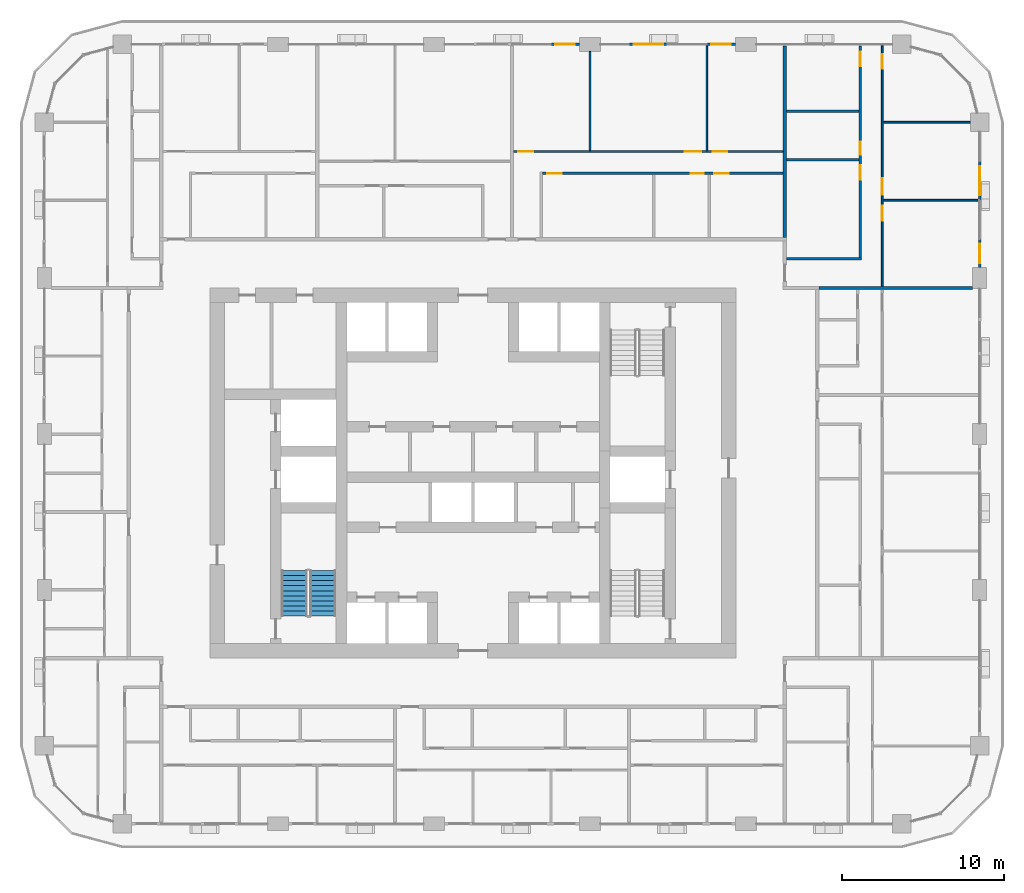
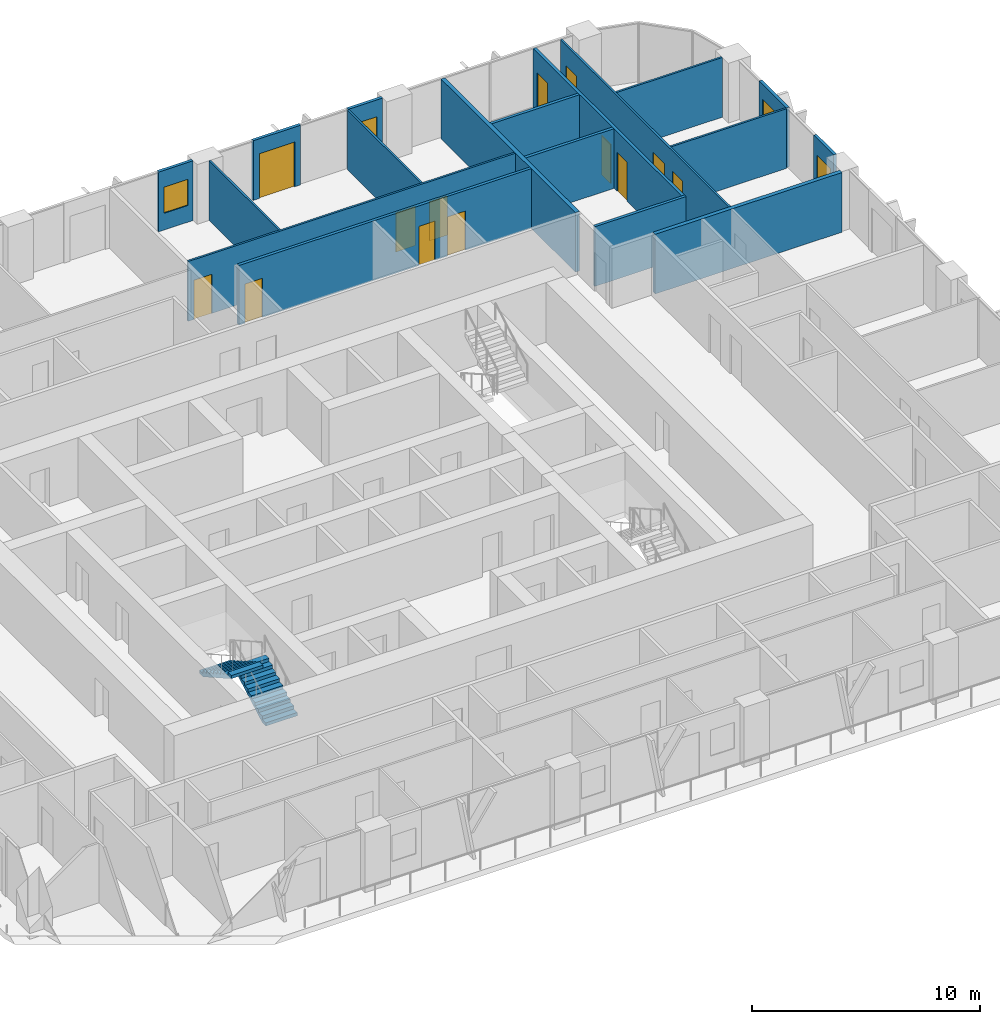
# One storey, part 15 of 22: 18 walls, 14 doors, 3 windows, 2 stair flights, 17 openings, 1 element without a shape of its own.
"""IFC4 building model written with IfcOpenShell, lengths in metres."""

from ifc_helpers import new_model, si_unit, direction, frame, frame_2d, origin, place, context, subcontext, project, spatial, polyline, rectangle, outline, extrude, material, layer, layer_set, type_object, element, fill, aggregate, save


model = new_model("IFC4")

# Units and contexts
model_context = context("Model", 3, precision=1e-05, world=origin(), true_north=direction((0.0, 1.0)))
body_context = subcontext(model_context, "Body", "Model", "MODEL_VIEW")
ifc_project = project(units=[si_unit("LENGTHUNIT", "METRE"), si_unit("AREAUNIT", "SQUARE_METRE"), si_unit("VOLUMEUNIT", "CUBIC_METRE"), si_unit("PLANEANGLEUNIT", "RADIAN"), si_unit("MASSUNIT", "GRAM", prefix="KILO")], contexts=[model_context])

# Site, building, storey
site_placement = place(None, origin())
site = spatial("IfcSite", under=ifc_project, at=site_placement, CompositionType="ELEMENT")
building_placement = place(site_placement, origin())
building = spatial("IfcBuilding", under=site, at=building_placement, Name="Madar Terraces", CompositionType="ELEMENT")
storey_placement = place(building_placement, frame((0.0, 0.0, 103.199951171875)))
storey = spatial("IfcBuildingStorey", under=building, at=storey_placement, Name="L26", CompositionType="ELEMENT", Elevation=103.199951171875)

# Wall, opening, window
ifc_material_1 = material(Name="Aluminium composite panel, black, over insulated backing", Category="aluminium")
ifc_layer_1 = layer(ifc_material_1, 0.14990234375)
ifc_layer_set_1 = layer_set([ifc_layer_1], Name="Facade bay panel 150")
wall_type_1 = type_object("IfcWallType", Name="Facade bay panel 150", PredefinedType="SOLIDWALL", material=ifc_layer_set_1)
wall_1_placement = place(storey_placement, frame((62.39990234375, 39.050048828125, 0.0), z_axis=(0.0, 0.0, 1.0), x_axis=(0.0, 1.0, 0.0)))
wall_1 = element("IfcWall", 1, at=wall_1_placement, inside=storey, type_object=wall_type_1, Name="Facade bay panel", PredefinedType="SOLIDWALL", context=body_context, shape_type="SweptSolid", body=[
    extrude(rectangle(XDim=1.75, YDim=0.14990234375, at=frame_2d((0.875, 0.0))), origin(), (0.0, 0.0, 1.0), 3.199951171875),
])
opening_1_placement = place(wall_1_placement, frame((0.27490234375, 0.0, 0.89990234375)))
opening_1 = element("IfcOpeningElement", 2, at=opening_1_placement, cuts=wall_1, Name="Opening W1", PredefinedType="OPENING", context=body_context, shape_type="SweptSolid", body=[
    extrude(rectangle(XDim=1.199951171875, YDim=1.39990234375, at=frame_2d((0.60009765625, 0.699951171875))), frame((0.0, 0.0849609375, 0.0), z_axis=(0.0, -1.0, 0.0), x_axis=(1.0, 0.0, 0.0)), (0.0, 0.0, 1.0), 0.169921875),
])
ifc_material_2 = material(Name="Glass, clear, with black aluminium frame", Category="aluminium")
window_type = type_object("IfcWindowType", Name="Vent window 1200 x 1400", PartitioningType="SINGLE_PANEL", PredefinedType="WINDOW", material=ifc_material_2)
window_1_placement = place(opening_1_placement, origin())
window_1 = element("IfcWindow", 3, at=window_1_placement, inside=storey, type_object=window_type, Name="Operable vent window", OverallHeight=1.39990234375, OverallWidth=1.199951171875, PartitioningType="SINGLE_PANEL", PredefinedType="WINDOW", context=body_context, shape_type="SweptSolid", body=[
    extrude(rectangle(XDim=1.199951171875, YDim=1.39990234375, at=frame_2d((0.60009765625, 0.699951171875))), frame((0.0, 0.030029296875, 0.0), z_axis=(0.0, -1.0, 0.0), x_axis=(1.0, 0.0, 0.0)), (0.0, 0.0, 1.0), 0.06005859375),
])
fill(opening_1, window_1)

# Wall, opening, door
wall_2_placement = place(storey_placement, frame((62.39990234375, 43.199951171875, 0.0), z_axis=(0.0, 0.0, 1.0), x_axis=(0.0, 1.0, 0.0)))
wall_2 = element("IfcWall", 4, at=wall_2_placement, inside=storey, type_object=wall_type_1, Name="Facade bay panel", PredefinedType="SOLIDWALL", context=body_context, shape_type="SweptSolid", body=[
    extrude(rectangle(XDim=2.400146484375, YDim=0.14990234375, at=frame_2d((1.2001953125, 0.0))), origin(), (0.0, 0.0, 1.0), 3.199951171875),
])
opening_2_placement = place(wall_2_placement, frame((0.300048828125, 0.0, 0.0)))
opening_2 = element("IfcOpeningElement", 5, at=opening_2_placement, cuts=wall_2, Name="Opening ED1", PredefinedType="OPENING", context=body_context, shape_type="SweptSolid", body=[
    extrude(rectangle(XDim=1.800048828125, YDim=2.39990234375, at=frame_2d((0.89990234375, 1.199951171875))), frame((0.0, 0.0849609375, 0.0), z_axis=(0.0, -1.0, 0.0), x_axis=(1.0, 0.0, 0.0)), (0.0, 0.0, 1.0), 0.169921875),
])
ifc_material_3 = material(Name="Glass, clear, with black aluminium frame", Category="aluminium")
door_type_1 = type_object("IfcDoorType", Name="Balcony and terrace sliding door 1800 x 2400", OperationType="SLIDING_TO_LEFT", PredefinedType="DOOR", material=ifc_material_3)
door_1_placement = place(opening_2_placement, origin())
door_1 = element("IfcDoor", 6, at=door_1_placement, inside=storey, type_object=door_type_1, Name="Balcony door", OperationType="SLIDING_TO_LEFT", OverallHeight=2.39990234375, OverallWidth=1.800048828125, PredefinedType="DOOR", context=body_context, shape_type="SweptSolid", body=[
    extrude(rectangle(XDim=1.800048828125, YDim=2.39990234375, at=frame_2d((0.89990234375, 1.199951171875))), frame((0.0, 0.02490234375, 0.0), z_axis=(0.0, -1.0, 0.0), x_axis=(1.0, 0.0, 0.0)), (0.0, 0.0, 1.0), 0.050048828125),
])
fill(opening_2, door_1)

# Wall, opening, window
wall_3_placement = place(storey_placement, frame((47.35009765625, 52.800048828125, 0.0), z_axis=(0.0, 0.0, 1.0), x_axis=(-1.0, 0.0, 0.0)))
wall_3 = element("IfcWall", 7, at=wall_3_placement, inside=storey, type_object=wall_type_1, Name="Facade bay panel", PredefinedType="SOLIDWALL", context=body_context, shape_type="SweptSolid", body=[
    extrude(rectangle(XDim=1.75, YDim=0.14990234375, at=frame_2d((0.875, 0.0))), origin(), (0.0, 0.0, 1.0), 3.199951171875),
])
opening_3_placement = place(wall_3_placement, frame((0.27490234375, 0.0, 0.89990234375)))
opening_3 = element("IfcOpeningElement", 8, at=opening_3_placement, cuts=wall_3, Name="Opening W1", PredefinedType="OPENING", context=body_context, shape_type="SweptSolid", body=[
    extrude(rectangle(XDim=1.199951171875, YDim=1.39990234375, at=frame_2d((0.60009765625, 0.699951171875))), frame((0.0, 0.0849609375, 0.0), z_axis=(0.0, -1.0, 0.0), x_axis=(1.0, 0.0, 0.0)), (0.0, 0.0, 1.0), 0.169921875),
])
window_2_placement = place(opening_3_placement, origin())
window_2 = element("IfcWindow", 9, at=window_2_placement, inside=storey, type_object=window_type, Name="Operable vent window", OverallHeight=1.39990234375, OverallWidth=1.199951171875, PartitioningType="SINGLE_PANEL", PredefinedType="WINDOW", context=body_context, shape_type="SweptSolid", body=[
    extrude(rectangle(XDim=1.199951171875, YDim=1.39990234375, at=frame_2d((0.60009765625, 0.699951171875))), frame((0.0, 0.030029296875, 0.0), z_axis=(0.0, -1.0, 0.0), x_axis=(1.0, 0.0, 0.0)), (0.0, 0.0, 1.0), 0.06005859375),
])
fill(opening_3, window_2)

# Wall, opening, door
wall_4_placement = place(storey_placement, frame((43.199951171875, 52.800048828125, 0.0), z_axis=(0.0, 0.0, 1.0), x_axis=(-1.0, 0.0, 0.0)))
wall_4 = element("IfcWall", 10, at=wall_4_placement, inside=storey, type_object=wall_type_1, Name="Facade bay panel", PredefinedType="SOLIDWALL", context=body_context, shape_type="SweptSolid", body=[
    extrude(rectangle(XDim=2.39990234375, YDim=0.14990234375, at=frame_2d((1.199951171875, 0.0))), origin(), (0.0, 0.0, 1.0), 3.199951171875),
])
opening_4_placement = place(wall_4_placement, frame((0.300048828125, 0.0, 0.0)))
opening_4 = element("IfcOpeningElement", 11, at=opening_4_placement, cuts=wall_4, Name="Opening ED1", PredefinedType="OPENING", context=body_context, shape_type="SweptSolid", body=[
    extrude(rectangle(XDim=1.800048828125, YDim=2.39990234375, at=frame_2d((0.89990234375, 1.199951171875))), frame((0.0, 0.0849609375, 0.0), z_axis=(0.0, -1.0, 0.0), x_axis=(1.0, 0.0, 0.0)), (0.0, 0.0, 1.0), 0.169921875),
])
door_2_placement = place(opening_4_placement, origin())
door_2 = element("IfcDoor", 12, at=door_2_placement, inside=storey, type_object=door_type_1, Name="Balcony door", OperationType="SLIDING_TO_RIGHT", OverallHeight=2.39990234375, OverallWidth=1.800048828125, PredefinedType="DOOR", context=body_context, shape_type="SweptSolid", body=[
    extrude(rectangle(XDim=1.800048828125, YDim=2.39990234375, at=frame_2d((0.89990234375, 1.199951171875))), frame((0.0, 0.02490234375, 0.0), z_axis=(0.0, -1.0, 0.0), x_axis=(1.0, 0.0, 0.0)), (0.0, 0.0, 1.0), 0.050048828125),
])
fill(opening_4, door_2)

# Wall, opening, window
wall_5_placement = place(storey_placement, frame((37.75, 52.800048828125, 0.0), z_axis=(0.0, 0.0, 1.0), x_axis=(-1.0, 0.0, 0.0)))
wall_5 = element("IfcWall", 13, at=wall_5_placement, inside=storey, type_object=wall_type_1, Name="Facade bay panel", PredefinedType="SOLIDWALL", context=body_context, shape_type="SweptSolid", body=[
    extrude(rectangle(XDim=1.75, YDim=0.14990234375, at=frame_2d((0.875, 0.0))), origin(), (0.0, 0.0, 1.0), 3.199951171875),
])
opening_5_placement = place(wall_5_placement, frame((0.27490234375, 0.0, 0.89990234375)))
opening_5 = element("IfcOpeningElement", 14, at=opening_5_placement, cuts=wall_5, Name="Opening W1", PredefinedType="OPENING", context=body_context, shape_type="SweptSolid", body=[
    extrude(rectangle(XDim=1.199951171875, YDim=1.39990234375, at=frame_2d((0.60009765625, 0.699951171875))), frame((0.0, 0.0849609375, 0.0), z_axis=(0.0, -1.0, 0.0), x_axis=(1.0, 0.0, 0.0)), (0.0, 0.0, 1.0), 0.169921875),
])
window_3_placement = place(opening_5_placement, origin())
window_3 = element("IfcWindow", 15, at=window_3_placement, inside=storey, type_object=window_type, Name="Operable vent window", OverallHeight=1.39990234375, OverallWidth=1.199951171875, PartitioningType="SINGLE_PANEL", PredefinedType="WINDOW", context=body_context, shape_type="SweptSolid", body=[
    extrude(rectangle(XDim=1.199951171875, YDim=1.39990234375, at=frame_2d((0.60009765625, 0.699951171875))), frame((0.0, 0.030029296875, 0.0), z_axis=(0.0, -1.0, 0.0), x_axis=(1.0, 0.0, 0.0)), (0.0, 0.0, 1.0), 0.06005859375),
])
fill(opening_5, window_3)

# Walls
ifc_material_4 = material(Name="Gypsum board on steel studs", Category="steel")
ifc_layer_2 = layer(ifc_material_4, 0.10009765625)
ifc_layer_set_2 = layer_set([ifc_layer_2], Name="Flat partition 100")
wall_type_2 = type_object("IfcWallType", Name="Flat partition 100", PredefinedType="PARTITIONING", material=ifc_layer_set_2)
wall_6_placement = place(storey_placement, frame((56.449951171875, 43.199951171875, 0.0), z_axis=(0.0, 0.0, 1.0), x_axis=(1.0, 0.0, 0.0)))
element("IfcWall", 16, at=wall_6_placement, inside=storey, type_object=wall_type_2, Name="Flat partition 100", PredefinedType="PARTITIONING", context=body_context, shape_type="SweptSolid", body=[
    extrude(rectangle(XDim=5.85009765625, YDim=0.10009765625, at=frame_2d((2.925048828125, 0.0))), origin(), (0.0, 0.0, 1.0), 3.199951171875),
])
wall_7_placement = place(storey_placement, frame((56.449951171875, 48.0, 0.0), z_axis=(0.0, 0.0, 1.0), x_axis=(1.0, 0.0, 0.0)))
element("IfcWall", 17, at=wall_7_placement, inside=storey, type_object=wall_type_2, Name="Flat partition 100", PredefinedType="PARTITIONING", context=body_context, shape_type="SweptSolid", body=[
    extrude(rectangle(XDim=5.375, YDim=0.10009765625, at=frame_2d((2.6875, 0.0))), origin(), (0.0, 0.0, 1.0), 3.199951171875),
])

# Wall, openings, doors
wall_8_placement = place(storey_placement, frame((56.39990234375, 52.699951171875, 0.0), z_axis=(0.0, 0.0, 1.0), x_axis=(0.0, -1.0, 0.0)))
wall_8 = element("IfcWall", 18, at=wall_8_placement, inside=storey, type_object=wall_type_2, Name="Flat partition 100", PredefinedType="PARTITIONING", context=body_context, shape_type="SweptSolid", body=[
    extrude(rectangle(XDim=14.800048828125, YDim=0.10009765625, at=frame_2d((7.39990234375, 0.0))), origin(), (0.0, 0.0, 1.0), 3.199951171875),
])
opening_6_placement = place(wall_8_placement, frame((9.85009765625, 0.0, 0.0)))
opening_6 = element("IfcOpeningElement", 19, at=opening_6_placement, cuts=wall_8, Name="Opening D2", PredefinedType="OPENING", context=body_context, shape_type="SweptSolid", body=[
    extrude(rectangle(XDim=0.89990234375, YDim=2.10009765625, at=frame_2d((0.449951171875, 1.050048828125))), frame((0.0, 0.06005859375, 0.0), z_axis=(0.0, -1.0, 0.0), x_axis=(1.0, 0.0, 0.0)), (0.0, 0.0, 1.0), 0.1201171875),
])
opening_7_placement = place(wall_8_placement, frame((8.14990234375, 0.0, 0.0)))
opening_7 = element("IfcOpeningElement", 20, at=opening_7_placement, cuts=wall_8, Name="Opening D3", PredefinedType="OPENING", context=body_context, shape_type="SweptSolid", body=[
    extrude(rectangle(XDim=1.0, YDim=2.10009765625, at=frame_2d((0.5, 1.050048828125))), frame((0.0, 0.06005859375, 0.0), z_axis=(0.0, -1.0, 0.0), x_axis=(1.0, 0.0, 0.0)), (0.0, 0.0, 1.0), 0.1201171875),
])
opening_8_placement = place(wall_8_placement, frame((0.5, 0.0, 0.0)))
opening_8 = element("IfcOpeningElement", 21, at=opening_8_placement, cuts=wall_8, Name="Opening D2", PredefinedType="OPENING", context=body_context, shape_type="SweptSolid", body=[
    extrude(rectangle(XDim=0.89990234375, YDim=2.10009765625, at=frame_2d((0.449951171875, 1.050048828125))), frame((0.0, 0.06005859375, 0.0), z_axis=(0.0, -1.0, 0.0), x_axis=(1.0, 0.0, 0.0)), (0.0, 0.0, 1.0), 0.1201171875),
])
ifc_material_5 = material(Name="Timber door leaf", Category="wood")
door_type_2 = type_object("IfcDoorType", Name="Flat living room door 1000", OperationType="NOTDEFINED", PredefinedType="DOOR", material=ifc_material_5)
door_3_placement = place(opening_7_placement, origin())
door_3 = element("IfcDoor", 22, at=door_3_placement, inside=storey, type_object=door_type_2, Name="Flat living room door 1000", OperationType="SINGLE_SWING_RIGHT", OverallHeight=2.10009765625, OverallWidth=1.0, PredefinedType="DOOR", context=body_context, shape_type="SweptSolid", body=[
    extrude(rectangle(XDim=1.0, YDim=2.10009765625, at=frame_2d((0.5, 1.050048828125))), frame((0.0, 0.02490234375, 0.0), z_axis=(0.0, -1.0, 0.0), x_axis=(1.0, 0.0, 0.0)), (0.0, 0.0, 1.0), 0.050048828125),
])
fill(opening_7, door_3)
ifc_material_6 = material(Name="Timber door leaf", Category="wood")
door_type_3 = type_object("IfcDoorType", Name="Flat room door 900", OperationType="NOTDEFINED", PredefinedType="DOOR", material=ifc_material_6)
door_4_placement = place(opening_6_placement, origin())
door_4 = element("IfcDoor", 23, at=door_4_placement, inside=storey, type_object=door_type_3, Name="Flat room door 900", OperationType="SINGLE_SWING_LEFT", OverallHeight=2.10009765625, OverallWidth=0.89990234375, PredefinedType="DOOR", context=body_context, shape_type="SweptSolid", body=[
    extrude(rectangle(XDim=0.89990234375, YDim=2.10009765625, at=frame_2d((0.449951171875, 1.050048828125))), frame((0.0, 0.02490234375, 0.0), z_axis=(0.0, -1.0, 0.0), x_axis=(1.0, 0.0, 0.0)), (0.0, 0.0, 1.0), 0.050048828125),
])
fill(opening_6, door_4)
door_5_placement = place(opening_8_placement, origin())
door_5 = element("IfcDoor", 24, at=door_5_placement, inside=storey, type_object=door_type_3, Name="Flat room door 900", OperationType="SINGLE_SWING_LEFT", OverallHeight=2.10009765625, OverallWidth=0.89990234375, PredefinedType="DOOR", context=body_context, shape_type="SweptSolid", body=[
    extrude(rectangle(XDim=0.89990234375, YDim=2.10009765625, at=frame_2d((0.449951171875, 1.050048828125))), frame((0.0, 0.02490234375, 0.0), z_axis=(0.0, -1.0, 0.0), x_axis=(1.0, 0.0, 0.0)), (0.0, 0.0, 1.0), 0.050048828125),
])
fill(opening_8, door_5)

# Walls
wall_9_placement = place(storey_placement, frame((38.39990234375, 46.25, 0.0), z_axis=(0.0, 0.0, 1.0), x_axis=(0.0, 1.0, 0.0)))
element("IfcWall", 25, at=wall_9_placement, inside=storey, type_object=wall_type_2, Name="Flat partition 100", PredefinedType="PARTITIONING", context=body_context, shape_type="SweptSolid", body=[
    extrude(rectangle(XDim=6.125, YDim=0.10009765625, at=frame_2d((3.0625, 0.0))), origin(), (0.0, 0.0, 1.0), 3.199951171875),
])
wall_10_placement = place(storey_placement, frame((45.60009765625, 46.25, 0.0), z_axis=(0.0, 0.0, 1.0), x_axis=(0.0, 1.0, 0.0)))
element("IfcWall", 26, at=wall_10_placement, inside=storey, type_object=wall_type_2, Name="Flat partition 100", PredefinedType="PARTITIONING", context=body_context, shape_type="SweptSolid", body=[
    extrude(rectangle(XDim=6.449951171875, YDim=0.10009765625, at=frame_2d((3.22509765625, 0.0))), origin(), (0.0, 0.0, 1.0), 3.199951171875),
])

# Wall, openings, doors
wall_11_placement = place(storey_placement, frame((33.699951171875, 46.199951171875, 0.0), z_axis=(0.0, 0.0, 1.0), x_axis=(1.0, 0.0, 0.0)))
wall_11 = element("IfcWall", 27, at=wall_11_placement, inside=storey, type_object=wall_type_2, Name="Flat partition 100", PredefinedType="PARTITIONING", context=body_context, shape_type="SweptSolid", body=[
    extrude(rectangle(XDim=16.60009765625, YDim=0.10009765625, at=frame_2d((8.300048828125, 0.0))), origin(), (0.0, 0.0, 1.0), 3.199951171875),
])
opening_9_placement = place(wall_11_placement, frame((0.300048828125, 0.0, 0.0)))
opening_9 = element("IfcOpeningElement", 28, at=opening_9_placement, cuts=wall_11, Name="Opening D2", PredefinedType="OPENING", context=body_context, shape_type="SweptSolid", body=[
    extrude(rectangle(XDim=0.89990234375, YDim=2.10009765625, at=frame_2d((0.449951171875, 1.050048828125))), frame((0.0, 0.06005859375, 0.0), z_axis=(0.0, -1.0, 0.0), x_axis=(1.0, 0.0, 0.0)), (0.0, 0.0, 1.0), 0.1201171875),
])
opening_10_placement = place(wall_11_placement, frame((10.550048828125, 0.0, 0.0)))
opening_10 = element("IfcOpeningElement", 29, at=opening_10_placement, cuts=wall_11, Name="Opening D3", PredefinedType="OPENING", context=body_context, shape_type="SweptSolid", body=[
    extrude(rectangle(XDim=1.0, YDim=2.10009765625, at=frame_2d((0.5, 1.050048828125))), frame((0.0, 0.06005859375, 0.0), z_axis=(0.0, -1.0, 0.0), x_axis=(1.0, 0.0, 0.0)), (0.0, 0.0, 1.0), 0.1201171875),
])
opening_11_placement = place(wall_11_placement, frame((12.25, 0.0, 0.0)))
opening_11 = element("IfcOpeningElement", 30, at=opening_11_placement, cuts=wall_11, Name="Opening D2", PredefinedType="OPENING", context=body_context, shape_type="SweptSolid", body=[
    extrude(rectangle(XDim=0.89990234375, YDim=2.10009765625, at=frame_2d((0.449951171875, 1.050048828125))), frame((0.0, 0.06005859375, 0.0), z_axis=(0.0, -1.0, 0.0), x_axis=(1.0, 0.0, 0.0)), (0.0, 0.0, 1.0), 0.1201171875),
])
door_6_placement = place(opening_10_placement, origin())
door_6 = element("IfcDoor", 31, at=door_6_placement, inside=storey, type_object=door_type_2, Name="Flat living room door 1000", OperationType="SINGLE_SWING_RIGHT", OverallHeight=2.10009765625, OverallWidth=1.0, PredefinedType="DOOR", context=body_context, shape_type="SweptSolid", body=[
    extrude(rectangle(XDim=1.0, YDim=2.10009765625, at=frame_2d((0.5, 1.050048828125))), frame((0.0, 0.02490234375, 0.0), z_axis=(0.0, -1.0, 0.0), x_axis=(1.0, 0.0, 0.0)), (0.0, 0.0, 1.0), 0.050048828125),
])
fill(opening_10, door_6)
door_7_placement = place(opening_9_placement, origin())
door_7 = element("IfcDoor", 32, at=door_7_placement, inside=storey, type_object=door_type_3, Name="Flat room door 900", OperationType="SINGLE_SWING_LEFT", OverallHeight=2.10009765625, OverallWidth=0.89990234375, PredefinedType="DOOR", context=body_context, shape_type="SweptSolid", body=[
    extrude(rectangle(XDim=0.89990234375, YDim=2.10009765625, at=frame_2d((0.449951171875, 1.050048828125))), frame((0.0, 0.02490234375, 0.0), z_axis=(0.0, -1.0, 0.0), x_axis=(1.0, 0.0, 0.0)), (0.0, 0.0, 1.0), 0.050048828125),
])
fill(opening_9, door_7)
door_8_placement = place(opening_11_placement, origin())
door_8 = element("IfcDoor", 33, at=door_8_placement, inside=storey, type_object=door_type_3, Name="Flat room door 900", OperationType="SINGLE_SWING_LEFT", OverallHeight=2.10009765625, OverallWidth=0.89990234375, PredefinedType="DOOR", context=body_context, shape_type="SweptSolid", body=[
    extrude(rectangle(XDim=0.89990234375, YDim=2.10009765625, at=frame_2d((0.449951171875, 1.050048828125))), frame((0.0, 0.02490234375, 0.0), z_axis=(0.0, -1.0, 0.0), x_axis=(1.0, 0.0, 0.0)), (0.0, 0.0, 1.0), 0.050048828125),
])
fill(opening_11, door_8)

# Walls
ifc_material_7 = material(Name="Lightweight blockwork", Category="masonry")
ifc_layer_3 = layer(ifc_material_7, 0.199951171875)
ifc_layer_set_3 = layer_set([ifc_layer_3], Name="Flat party and entrance wall 200")
wall_type_3 = type_object("IfcWallType", Name="Flat party and entrance wall 200", PredefinedType="PARTITIONING", material=ifc_layer_set_3)
wall_12_placement = place(storey_placement, frame((52.5, 37.800048828125, 0.0), z_axis=(0.0, 0.0, 1.0), x_axis=(1.0, 0.0, 0.0)))
element("IfcWall", 34, at=wall_12_placement, inside=storey, type_object=wall_type_3, Name="Flat party and entrance wall 200", PredefinedType="PARTITIONING", context=body_context, shape_type="SweptSolid", body=[
    extrude(rectangle(XDim=9.47509765625, YDim=0.199951171875, at=frame_2d((4.737548828125, 0.0))), origin(), (0.0, 0.0, 1.0), 3.199951171875),
])
wall_13_placement = place(storey_placement, frame((50.39990234375, 40.89990234375, 0.0), z_axis=(0.0, 0.0, 1.0), x_axis=(0.0, 1.0, 0.0)))
element("IfcWall", 35, at=wall_13_placement, inside=storey, type_object=wall_type_3, Name="Flat party and entrance wall 200", PredefinedType="PARTITIONING", context=body_context, shape_type="SweptSolid", body=[
    extrude(rectangle(XDim=11.800048828125, YDim=0.199951171875, at=frame_2d((5.89990234375, 0.0))), origin(), (0.0, 0.0, 1.0), 3.199951171875),
])
ifc_material_8 = material(Name="Lightweight blockwork", Category="masonry")
ifc_layer_4 = layer(ifc_material_8, 0.14990234375)
ifc_layer_set_4 = layer_set([ifc_layer_4], Name="Flat wet-room partition 150")
wall_type_4 = type_object("IfcWallType", Name="Flat wet-room partition 150", PredefinedType="PARTITIONING", material=ifc_layer_set_4)
for number, where, z_axis, x_axis, name in (
    (36, (50.5, 45.6865234375, 0.0), (0.0, 0.0, 1.0), (1.0, 0.0, 0.0), "Flat wet-room partition 150"),
    (37, (50.5, 48.6923828125, 0.0), (0.0, 0.0, 1.0), (1.0, 0.0, 0.0), "Flat wet-room partition 150"),
):
    element("IfcWall", number, at=place(storey_placement, frame(where, z_axis=z_axis, x_axis=x_axis)), inside=storey, type_object=wall_type_4, Name=name, PredefinedType="PARTITIONING", context=body_context, shape_type="SweptSolid", body=[
        extrude(rectangle(XDim=4.47509765625, YDim=0.14990234375, at=frame_2d((2.237548828125, 0.0))), origin(), (0.0, 0.0, 1.0), 3.199951171875),
    ])
wall_14_placement = place(storey_placement, frame((50.5, 39.60009765625, 0.0), z_axis=(0.0, 0.0, 1.0), x_axis=(1.0, 0.0, 0.0)))
element("IfcWall", 38, at=wall_14_placement, inside=storey, type_object=wall_type_4, Name="Flat wet-room partition 150", PredefinedType="PARTITIONING", context=body_context, shape_type="SweptSolid", body=[
    extrude(rectangle(XDim=4.625, YDim=0.14990234375, at=frame_2d((2.3125, 0.0))), origin(), (0.0, 0.0, 1.0), 3.199951171875),
])

# Wall, openings, doors
wall_15_placement = place(storey_placement, frame((55.050048828125, 39.675048828125, 0.0), z_axis=(0.0, 0.0, 1.0), x_axis=(0.0, 1.0, 0.0)))
wall_15 = element("IfcWall", 39, at=wall_15_placement, inside=storey, type_object=wall_type_4, Name="Flat wet-room partition 150", PredefinedType="PARTITIONING", context=body_context, shape_type="SweptSolid", body=[
    extrude(rectangle(XDim=13.02490234375, YDim=0.14990234375, at=frame_2d((6.512451171875, 0.0))), origin(), (0.0, 0.0, 1.0), 3.199951171875),
])
opening_12_placement = place(wall_15_placement, frame((4.78662109375, 0.0, 0.0)))
opening_12 = element("IfcOpeningElement", 40, at=opening_12_placement, cuts=wall_15, Name="Opening D2", PredefinedType="OPENING", context=body_context, shape_type="SweptSolid", body=[
    extrude(rectangle(XDim=0.89990234375, YDim=2.10009765625, at=frame_2d((0.449951171875, 1.050048828125))), frame((0.0, 0.0849609375, 0.0), z_axis=(0.0, -1.0, 0.0), x_axis=(1.0, 0.0, 0.0)), (0.0, 0.0, 1.0), 0.169921875),
])
opening_13_placement = place(wall_15_placement, frame((6.33642578125, 0.0, 0.0)))
opening_13 = element("IfcOpeningElement", 41, at=opening_13_placement, cuts=wall_15, Name="Opening D4", PredefinedType="OPENING", context=body_context, shape_type="SweptSolid", body=[
    extrude(rectangle(XDim=0.800048828125, YDim=2.10009765625, at=frame_2d((0.39990234375, 1.050048828125))), frame((0.0, 0.0849609375, 0.0), z_axis=(0.0, -1.0, 0.0), x_axis=(1.0, 0.0, 0.0)), (0.0, 0.0, 1.0), 0.169921875),
])
opening_14_placement = place(wall_15_placement, frame((11.77490234375, 0.0, 0.0)))
opening_14 = element("IfcOpeningElement", 42, at=opening_14_placement, cuts=wall_15, Name="Opening D5", PredefinedType="OPENING", context=body_context, shape_type="SweptSolid", body=[
    extrude(rectangle(XDim=0.89990234375, YDim=2.10009765625, at=frame_2d((0.449951171875, 1.050048828125))), frame((0.0, 0.0849609375, 0.0), z_axis=(0.0, -1.0, 0.0), x_axis=(1.0, 0.0, 0.0)), (0.0, 0.0, 1.0), 0.169921875),
])
ifc_material_9 = material(Name="Timber door leaf", Category="wood")
door_type_4 = type_object("IfcDoorType", Name="Flat accessible bathroom door 900", OperationType="NOTDEFINED", PredefinedType="DOOR", material=ifc_material_9)
door_9_placement = place(opening_14_placement, origin())
door_9 = element("IfcDoor", 43, at=door_9_placement, inside=storey, type_object=door_type_4, Name="Flat accessible bathroom door 900", OperationType="SINGLE_SWING_RIGHT", OverallHeight=2.10009765625, OverallWidth=0.89990234375, PredefinedType="DOOR", context=body_context, shape_type="SweptSolid", body=[
    extrude(rectangle(XDim=0.89990234375, YDim=2.10009765625, at=frame_2d((0.449951171875, 1.050048828125))), frame((0.0, 0.02490234375, 0.0), z_axis=(0.0, -1.0, 0.0), x_axis=(1.0, 0.0, 0.0)), (0.0, 0.0, 1.0), 0.050048828125),
])
fill(opening_14, door_9)
ifc_material_10 = material(Name="Timber door leaf", Category="wood")
door_type_5 = type_object("IfcDoorType", Name="Flat bathroom door 800", OperationType="NOTDEFINED", PredefinedType="DOOR", material=ifc_material_10)
door_10_placement = place(opening_13_placement, origin())
door_10 = element("IfcDoor", 44, at=door_10_placement, inside=storey, type_object=door_type_5, Name="Flat bathroom door 800", OperationType="SINGLE_SWING_LEFT", OverallHeight=2.10009765625, OverallWidth=0.800048828125, PredefinedType="DOOR", context=body_context, shape_type="SweptSolid", body=[
    extrude(rectangle(XDim=0.800048828125, YDim=2.10009765625, at=frame_2d((0.39990234375, 1.050048828125))), frame((0.0, 0.02490234375, 0.0), z_axis=(0.0, -1.0, 0.0), x_axis=(1.0, 0.0, 0.0)), (0.0, 0.0, 1.0), 0.050048828125),
])
fill(opening_13, door_10)
door_11_placement = place(opening_12_placement, origin())
door_11 = element("IfcDoor", 45, at=door_11_placement, inside=storey, type_object=door_type_3, Name="Flat room door 900", OperationType="SINGLE_SWING_RIGHT", OverallHeight=2.10009765625, OverallWidth=0.89990234375, PredefinedType="DOOR", context=body_context, shape_type="SweptSolid", body=[
    extrude(rectangle(XDim=0.89990234375, YDim=2.10009765625, at=frame_2d((0.449951171875, 1.050048828125))), frame((0.0, 0.02490234375, 0.0), z_axis=(0.0, -1.0, 0.0), x_axis=(1.0, 0.0, 0.0)), (0.0, 0.0, 1.0), 0.050048828125),
])
fill(opening_12, door_11)

wall_16_placement = place(storey_placement, frame((50.300048828125, 44.85009765625, 0.0), z_axis=(0.0, 0.0, 1.0), x_axis=(-1.0, 0.0, 0.0)))
wall_16 = element("IfcWall", 46, at=wall_16_placement, inside=storey, type_object=wall_type_4, Name="Flat wet-room partition 150", PredefinedType="PARTITIONING", context=body_context, shape_type="SweptSolid", body=[
    extrude(rectangle(XDim=14.824951171875, YDim=0.14990234375, at=frame_2d((7.41259765625, 0.0))), origin(), (0.0, 0.0, 1.0), 3.199951171875),
])
opening_15_placement = place(wall_16_placement, frame((13.625, 0.0, 0.0)))
opening_15 = element("IfcOpeningElement", 47, at=opening_15_placement, cuts=wall_16, Name="Opening D2", PredefinedType="OPENING", context=body_context, shape_type="SweptSolid", body=[
    extrude(rectangle(XDim=0.89990234375, YDim=2.10009765625, at=frame_2d((0.449951171875, 1.050048828125))), frame((0.0, 0.0849609375, 0.0), z_axis=(0.0, -1.0, 0.0), x_axis=(1.0, 0.0, 0.0)), (0.0, 0.0, 1.0), 0.169921875),
])
opening_16_placement = place(wall_16_placement, frame((4.886474609375, 0.0, 0.0)))
opening_16 = element("IfcOpeningElement", 48, at=opening_16_placement, cuts=wall_16, Name="Opening D4", PredefinedType="OPENING", context=body_context, shape_type="SweptSolid", body=[
    extrude(rectangle(XDim=0.800048828125, YDim=2.10009765625, at=frame_2d((0.39990234375, 1.050048828125))), frame((0.0, 0.0849609375, 0.0), z_axis=(0.0, -1.0, 0.0), x_axis=(1.0, 0.0, 0.0)), (0.0, 0.0, 1.0), 0.169921875),
])
opening_17_placement = place(wall_16_placement, frame((3.33642578125, 0.0, 0.0)))
opening_17 = element("IfcOpeningElement", 49, at=opening_17_placement, cuts=wall_16, Name="Opening D5", PredefinedType="OPENING", context=body_context, shape_type="SweptSolid", body=[
    extrude(rectangle(XDim=0.89990234375, YDim=2.10009765625, at=frame_2d((0.449951171875, 1.050048828125))), frame((0.0, 0.0849609375, 0.0), z_axis=(0.0, -1.0, 0.0), x_axis=(1.0, 0.0, 0.0)), (0.0, 0.0, 1.0), 0.169921875),
])
door_12_placement = place(opening_17_placement, origin())
door_12 = element("IfcDoor", 50, at=door_12_placement, inside=storey, type_object=door_type_4, Name="Flat accessible bathroom door 900", OperationType="SINGLE_SWING_RIGHT", OverallHeight=2.10009765625, OverallWidth=0.89990234375, PredefinedType="DOOR", context=body_context, shape_type="SweptSolid", body=[
    extrude(rectangle(XDim=0.89990234375, YDim=2.10009765625, at=frame_2d((0.449951171875, 1.050048828125))), frame((0.0, 0.02490234375, 0.0), z_axis=(0.0, -1.0, 0.0), x_axis=(1.0, 0.0, 0.0)), (0.0, 0.0, 1.0), 0.050048828125),
])
fill(opening_17, door_12)
door_13_placement = place(opening_16_placement, origin())
door_13 = element("IfcDoor", 51, at=door_13_placement, inside=storey, type_object=door_type_5, Name="Flat bathroom door 800", OperationType="SINGLE_SWING_LEFT", OverallHeight=2.10009765625, OverallWidth=0.800048828125, PredefinedType="DOOR", context=body_context, shape_type="SweptSolid", body=[
    extrude(rectangle(XDim=0.800048828125, YDim=2.10009765625, at=frame_2d((0.39990234375, 1.050048828125))), frame((0.0, 0.02490234375, 0.0), z_axis=(0.0, -1.0, 0.0), x_axis=(1.0, 0.0, 0.0)), (0.0, 0.0, 1.0), 0.050048828125),
])
fill(opening_16, door_13)
door_14_placement = place(opening_15_placement, origin())
door_14 = element("IfcDoor", 52, at=door_14_placement, inside=storey, type_object=door_type_3, Name="Flat room door 900", OperationType="SINGLE_SWING_RIGHT", OverallHeight=2.10009765625, OverallWidth=0.89990234375, PredefinedType="DOOR", context=body_context, shape_type="SweptSolid", body=[
    extrude(rectangle(XDim=0.89990234375, YDim=2.10009765625, at=frame_2d((0.449951171875, 1.050048828125))), frame((0.0, 0.02490234375, 0.0), z_axis=(0.0, -1.0, 0.0), x_axis=(1.0, 0.0, 0.0)), (0.0, 0.0, 1.0), 0.050048828125),
])
fill(opening_15, door_14)

# Stair, stair flights
ifc_material_11 = material(Name="Concrete C50/60", Category="concrete")
stair_type = type_object("IfcStairType", Name="Stair ST1 protected exit", PredefinedType="HALF_TURN_STAIR", material=ifc_material_11)
stair_placement = place(storey_placement, origin())
stair = element("IfcStair", 53, at=stair_placement, inside=storey, type_object=stair_type, Name="L26 Protected Exit Stair ST1", PredefinedType="HALF_TURN_STAIR")
ifc_material_12 = material(Name="Concrete C50/60", Category="concrete")
stair_flight_type = type_object("IfcStairFlightType", Name="Stair flight ST1-F4, 1600 wide, 10 risers", PredefinedType="STRAIGHT", material=ifc_material_12)
stair_flight_1_placement = place(storey_placement, frame((21.949951171875, 17.60009765625, 0.0), z_axis=(0.0, 0.0, 1.0), x_axis=(0.0, 1.0, 0.0)))
stair_flight_1 = element("IfcStairFlight", 54, at=stair_flight_1_placement, type_object=stair_flight_type, Name="ST1 flight 1", NumberOfRisers=10, NumberOfTreads=9, PredefinedType="STRAIGHT", RiserHeight=0.175, TreadLength=0.31, context=body_context, shape_type="SweptSolid", body=[
    extrude(outline(polyline([(0.0, 0.0), (0.0, 0.175048828125), (0.31005859375, 0.175048828125), (0.31005859375, 0.35009765625), (0.6201171875, 0.35009765625), (0.6201171875, 0.52490234375), (0.929931640625, 0.52490234375), (0.929931640625, 0.699951171875), (1.239990234375, 0.699951171875), (1.239990234375, 0.875), (1.550048828125, 0.875), (1.550048828125, 1.050048828125), (1.860107421875, 1.050048828125), (1.860107421875, 1.22509765625), (2.169921875, 1.22509765625), (2.169921875, 1.39990234375), (2.47998046875, 1.39990234375), (2.47998046875, 1.574951171875), (2.7900390625, 1.574951171875), (2.7900390625, 1.75), (2.7900390625, 1.40283203125), (0.304931640625, 0.0), (0.0, 0.0)])), frame((0.0, 0.800048828125, 0.0), z_axis=(0.0, -1.0, 0.0), x_axis=(1.0, 0.0, 0.0)), (0.0, 0.0, 1.0), 1.60009765625),
])
stair_flight_2_placement = place(storey_placement, frame((20.199951171875, 20.389892578125, 1.75), z_axis=(0.0, 0.0, 1.0), x_axis=(0.0, -1.0, 0.0)))
stair_flight_2 = element("IfcStairFlight", 55, at=stair_flight_2_placement, type_object=stair_flight_type, Name="ST1 flight 2", NumberOfRisers=10, NumberOfTreads=9, PredefinedType="STRAIGHT", RiserHeight=0.175, TreadLength=0.31, context=body_context, shape_type="SweptSolid", body=[
    extrude(outline(polyline([(0.0, 0.0), (0.0, 0.175048828125), (0.31005859375, 0.175048828125), (0.31005859375, 0.35009765625), (0.6201171875, 0.35009765625), (0.6201171875, 0.52490234375), (0.929931640625, 0.52490234375), (0.929931640625, 0.699951171875), (1.239990234375, 0.699951171875), (1.239990234375, 0.875), (1.550048828125, 0.875), (1.550048828125, 1.050048828125), (1.860107421875, 1.050048828125), (1.860107421875, 1.22509765625), (2.169921875, 1.22509765625), (2.169921875, 1.39990234375), (2.47998046875, 1.39990234375), (2.47998046875, 1.574951171875), (2.7900390625, 1.574951171875), (2.7900390625, 1.75), (2.7900390625, 1.40283203125), (0.304931640625, 0.0), (0.0, 0.0)])), frame((0.0, 0.800048828125, 0.0), z_axis=(0.0, -1.0, 0.0), x_axis=(1.0, 0.0, 0.0)), (0.0, 0.0, 1.0), 1.60009765625),
])
aggregate(stair, [stair_flight_1, stair_flight_2])

save(model, "model.ifc")
